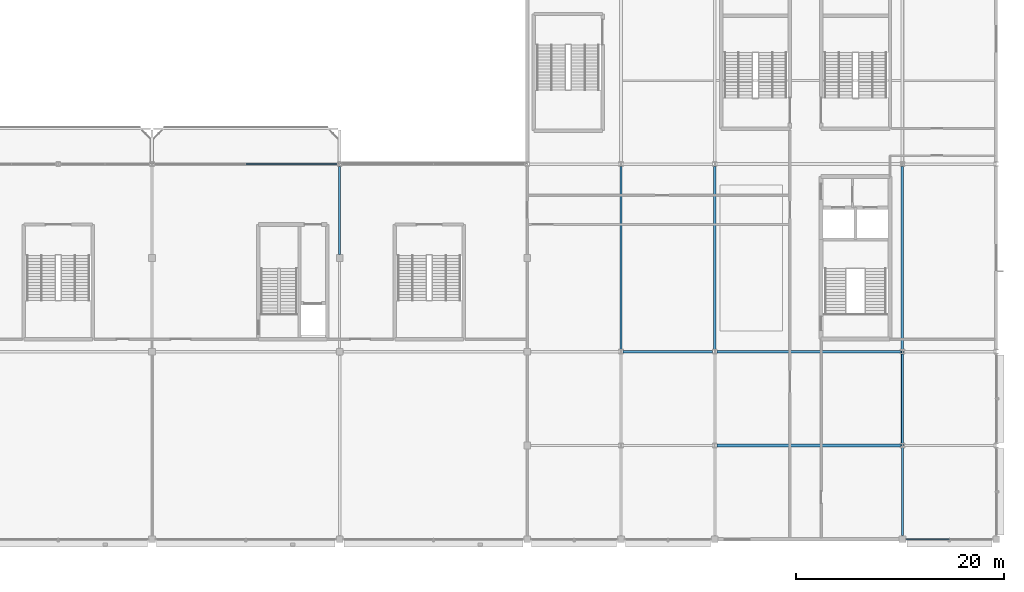
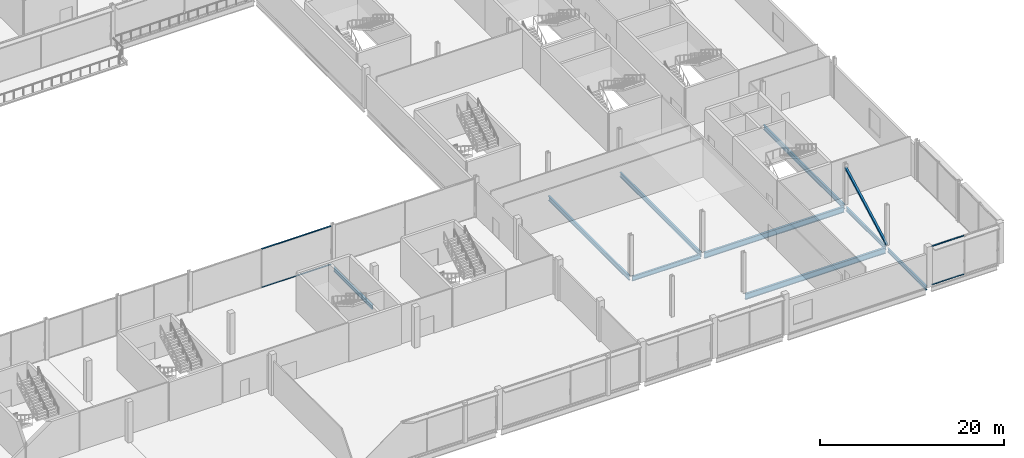
# One storey, part 49 of 113: 9 beams, 5 members, 2 elements without a shape of their own.
"""IFC4 building model written with IfcOpenShell, lengths in metres."""

from ifc_helpers import new_model, si_unit, direction, frame, origin, origin_2d, place, context, subcontext, project, spatial, rectangle, hollow_rectangle, i_section, extrude, material, layer, layer_set, material_profile, profile_set, type_object, element, aggregate, save


model = new_model("IFC4")

# Units and contexts
model_context = context("Model", 3, precision=1e-05, world=origin(), true_north=direction((0.0, 1.0)))
body_context = subcontext(model_context, "Body", "Model", "MODEL_VIEW")
ifc_project = project(units=[si_unit("LENGTHUNIT", "METRE"), si_unit("AREAUNIT", "SQUARE_METRE"), si_unit("VOLUMEUNIT", "CUBIC_METRE"), si_unit("PLANEANGLEUNIT", "RADIAN"), si_unit("MASSUNIT", "GRAM", prefix="KILO")], contexts=[model_context])

# Site, building, storey
site_placement = place(None, origin())
site = spatial("IfcSite", under=ifc_project, at=site_placement, CompositionType="ELEMENT")
building_placement = place(site_placement, origin())
building = spatial("IfcBuilding", under=site, at=building_placement, Name="Kisiwana Market Hall", CompositionType="ELEMENT")
storey_placement = place(building_placement, frame((0.0, 0.0, 6.0)))
storey = spatial("IfcBuildingStorey", under=building, at=storey_placement, Name="L01", CompositionType="ELEMENT", Elevation=6.0)

# Beams
ifc_material_1 = material(Name="Steel S355", Category="steel")
ifc_material_profile_1 = material_profile(ifc_material_1, i_section(OverallWidth=0.209228515625, OverallDepth=0.533203125, WebThickness=0.010009765625, FlangeThickness=0.015625, at=origin_2d()), Name="UB 533x210x92")
ifc_profile_set_1 = profile_set([ifc_material_profile_1], Name="Steel S355")
beam_type_1 = type_object("IfcBeamType", Name="BM-GIRD-UB533", PredefinedType="BEAM", material=ifc_profile_set_1)
beam_1_placement = place(storey_placement, frame((135.0, 27.345947265625, -0.5166015625), z_axis=(0.0, 1.0, 0.0), x_axis=(-1.0, 0.0, 0.0)))
element("IfcBeam", 1, at=beam_1_placement, inside=storey, type_object=beam_type_1, Name="Primary girder B-0387", PredefinedType="BEAM", context=body_context, shape_type="SweptSolid", body=[
    extrude(i_section(OverallWidth=0.209228515625, OverallDepth=0.533203125, WebThickness=0.010009765625, FlangeThickness=0.015625, at=origin_2d()), origin(), (0.0, 0.0, 1.0), 8.440673828125),
])
beam_2_placement = place(storey_placement, frame((189.0, 0.345947265625, -0.5166015625), z_axis=(0.0, 1.0, 0.0), x_axis=(-1.0, 0.0, 0.0)))
element("IfcBeam", 2, at=beam_2_placement, inside=storey, type_object=beam_type_1, Name="Primary girder B-0413", PredefinedType="BEAM", context=body_context, shape_type="SweptSolid", body=[
    extrude(i_section(OverallWidth=0.209228515625, OverallDepth=0.533203125, WebThickness=0.010009765625, FlangeThickness=0.015625, at=origin_2d()), origin(), (0.0, 0.0, 1.0), 8.454833984375),
])
beam_3_placement = place(storey_placement, frame((189.0, 9.19921875, -0.5166015625), z_axis=(0.0, 1.0, 0.0), x_axis=(-1.0, 0.0, 0.0)))
element("IfcBeam", 3, at=beam_3_placement, inside=storey, type_object=beam_type_1, Name="Primary girder B-0414", PredefinedType="BEAM", context=body_context, shape_type="SweptSolid", body=[
    extrude(i_section(OverallWidth=0.209228515625, OverallDepth=0.533203125, WebThickness=0.010009765625, FlangeThickness=0.015625, at=origin_2d()), origin(), (0.0, 0.0, 1.0), 8.58740234375),
])
ifc_material_2 = material(Name="Steel S355", Category="steel")
ifc_material_profile_2 = material_profile(ifc_material_2, i_section(OverallWidth=0.22900390625, OverallDepth=0.6123046875, WebThickness=0.011962890625, FlangeThickness=0.01953125, at=origin_2d()), Name="UB 610x229x125")
ifc_profile_set_2 = profile_set([ifc_material_profile_2], Name="Steel S355")
beam_type_2 = type_object("IfcBeamType", Name="BM-GIRD-UB610H", PredefinedType="BEAM", material=ifc_profile_set_2)
beam_4_placement = place(storey_placement, frame((162.201904296875, 18.0, -0.55615234375), z_axis=(1.0, 0.0, 0.0), x_axis=(0.0, 1.0, 0.0)))
element("IfcBeam", 4, at=beam_4_placement, inside=storey, type_object=beam_type_2, Name="Floor beam B-0482", PredefinedType="BEAM", context=body_context, shape_type="SweptSolid", body=[
    extrude(i_section(OverallWidth=0.22900390625, OverallDepth=0.6123046875, WebThickness=0.011962890625, FlangeThickness=0.01953125, at=origin_2d()), origin(), (0.0, 0.0, 1.0), 8.59619140625),
])
for number, where, z_axis, x_axis, name in (
    (5, (162.0, 18.21337890625, -0.55615234375), (0.0, 1.0, 0.0), (-1.0, 0.0, 0.0), "Primary girder B-0401"),
    (6, (171.0, 18.21337890625, -0.55615234375), (0.0, 1.0, 0.0), (-1.0, 0.0, 0.0), "Primary girder B-0409"),
    (7, (189.0, 18.21337890625, -0.55615234375), (0.0, 1.0, 0.0), (-1.0, 0.0, 0.0), "Primary girder B-0415"),
):
    element("IfcBeam", number, at=place(storey_placement, frame(where, z_axis=z_axis, x_axis=x_axis)), inside=storey, type_object=beam_type_2, Name=name, PredefinedType="BEAM", context=body_context, shape_type="SweptSolid", body=[
        extrude(i_section(OverallWidth=0.22900390625, OverallDepth=0.6123046875, WebThickness=0.011962890625, FlangeThickness=0.01953125, at=origin_2d()), origin(), (0.0, 0.0, 1.0), 17.5732421875),
    ])
ifc_material_3 = material(Name="Steel S355", Category="steel")
ifc_material_profile_3 = material_profile(ifc_material_3, i_section(OverallWidth=0.2666015625, OverallDepth=0.76220703125, WebThickness=0.014404296875, FlangeThickness=0.021484375, at=origin_2d()), Name="UB 762x267x173")
ifc_profile_set_3 = profile_set([ifc_material_profile_3], Name="Steel S355")
beam_type_3 = type_object("IfcBeamType", Name="BM-GIRD-UB762", PredefinedType="BEAM", material=ifc_profile_set_3)
beam_5_placement = place(storey_placement, frame((171.197509765625, 9.0, -0.631103515625), z_axis=(1.0, 0.0, 0.0), x_axis=(0.0, 1.0, 0.0)))
element("IfcBeam", 8, at=beam_5_placement, inside=storey, type_object=beam_type_3, Name="Floor beam B-0469", PredefinedType="BEAM", context=body_context, shape_type="SweptSolid", body=[
    extrude(i_section(OverallWidth=0.2666015625, OverallDepth=0.76220703125, WebThickness=0.014404296875, FlangeThickness=0.021484375, at=origin_2d()), origin(), (0.0, 0.0, 1.0), 17.60498046875),
])
beam_6_placement = place(storey_placement, frame((171.201904296875, 18.0, -0.631103515625), z_axis=(1.0, 0.0, 0.0), x_axis=(0.0, 1.0, 0.0)))
element("IfcBeam", 9, at=beam_6_placement, inside=storey, type_object=beam_type_3, Name="Floor beam B-0483", PredefinedType="BEAM", context=body_context, shape_type="SweptSolid", body=[
    extrude(i_section(OverallWidth=0.2666015625, OverallDepth=0.76220703125, WebThickness=0.014404296875, FlangeThickness=0.021484375, at=origin_2d()), origin(), (0.0, 0.0, 1.0), 17.59619140625),
])

# Curtain wall, members
ifc_material_4 = material(Name="Double-glazed solar-control low-E IGU", Category="glass")
ifc_layer_1 = layer(ifc_material_4, 0.159912109375)
ifc_layer_set_1 = layer_set([ifc_layer_1], Name="CW-FC-S-7600")
curtain_wall_type_1 = type_object("IfcCurtainWallType", Name="CW-FC-S-7600", PredefinedType="USERDEFINED", material=ifc_layer_set_1)
curtain_wall_1_placement = place(storey_placement, origin())
curtain_wall_1 = element("IfcCurtainWall", 10, at=curtain_wall_1_placement, inside=storey, type_object=curtain_wall_type_1, Name="Unitised curtain wall CW-016 (L01)", ObjectType="UNITISED CURTAIN WALL", PredefinedType="USERDEFINED")
ifc_material_5 = material(Name="Aluminium alloy 6063-T6", Category="aluminium")
ifc_material_profile_4 = material_profile(ifc_material_5, rectangle(XDim=0.1201171875, YDim=0.06005859375, at=origin_2d()), Name="ALU TRANSOM 60x120")
ifc_profile_set_4 = profile_set([ifc_material_profile_4], Name="Aluminium alloy 6063-T6")
member_type_1 = type_object("IfcMemberType", Name="CW-TRAN-60x120", PredefinedType="USERDEFINED", material=ifc_profile_set_4)
member_1_placement = place(storey_placement, frame((189.385009765625, 0.0, 0.030029296875), z_axis=(1.0, 0.0, 0.0), x_axis=(0.0, 1.0, 0.0)))
member_1 = element("IfcMember", 11, at=member_1_placement, type_object=member_type_1, Name="CW-016 transom 1.1", ObjectType="TRANSOM", PredefinedType="USERDEFINED", context=body_context, shape_type="SweptSolid", body=[
    extrude(rectangle(XDim=0.1201171875, YDim=0.06005859375, at=origin_2d()), origin(), (0.0, 0.0, 1.0), 4.0849609375),
])
member_2_placement = place(storey_placement, frame((189.385009765625, 0.0, 5.1201171875), z_axis=(1.0, 0.0, 0.0), x_axis=(0.0, 1.0, 0.0)))
member_2 = element("IfcMember", 12, at=member_2_placement, type_object=member_type_1, Name="CW-016 transom 1.2", ObjectType="TRANSOM", PredefinedType="USERDEFINED", context=body_context, shape_type="SweptSolid", body=[
    extrude(rectangle(XDim=0.1201171875, YDim=0.06005859375, at=origin_2d()), origin(), (0.0, 0.0, 1.0), 4.0849609375),
])
aggregate(curtain_wall_1, [member_1, member_2])

ifc_material_6 = material(Name="Double-glazed solar-control low-E IGU", Category="glass")
ifc_layer_2 = layer(ifc_material_6, 0.159912109375)
ifc_layer_set_2 = layer_set([ifc_layer_2], Name="CW-FC-N-8100")
curtain_wall_type_2 = type_object("IfcCurtainWallType", Name="CW-FC-N-8100", PredefinedType="USERDEFINED", material=ifc_layer_set_2)
curtain_wall_2_placement = place(storey_placement, origin())
curtain_wall_2 = element("IfcCurtainWall", 13, at=curtain_wall_2_placement, inside=storey, type_object=curtain_wall_type_2, Name="Unitised curtain wall CW-023 (L01)", ObjectType="UNITISED CURTAIN WALL", PredefinedType="USERDEFINED")
member_3_placement = place(storey_placement, frame((126.030029296875, 36.0, 0.030029296875), z_axis=(1.0, 0.0, 0.0), x_axis=(0.0, 1.0, 0.0)))
member_3 = element("IfcMember", 14, at=member_3_placement, type_object=member_type_1, Name="CW-023 transom 2.1", ObjectType="TRANSOM", PredefinedType="USERDEFINED", context=body_context, shape_type="SweptSolid", body=[
    extrude(rectangle(XDim=0.1201171875, YDim=0.06005859375, at=origin_2d()), origin(), (0.0, 0.0, 1.0), 8.703857421875),
])
member_4_placement = place(storey_placement, frame((126.030029296875, 36.0, 5.1201171875), z_axis=(1.0, 0.0, 0.0), x_axis=(0.0, 1.0, 0.0)))
member_4 = element("IfcMember", 15, at=member_4_placement, type_object=member_type_1, Name="CW-023 transom 2.2", ObjectType="TRANSOM", PredefinedType="USERDEFINED", context=body_context, shape_type="SweptSolid", body=[
    extrude(rectangle(XDim=0.1201171875, YDim=0.06005859375, at=origin_2d()), origin(), (0.0, 0.0, 1.0), 8.703857421875),
])
aggregate(curtain_wall_2, [member_3, member_4])

# Member
ifc_material_7 = material(Name="Steel S355", Category="steel")
ifc_material_profile_5 = material_profile(ifc_material_7, hollow_rectangle(XDim=0.25, YDim=0.25, WallThickness=0.012451171875, at=origin_2d()), Name="SHS 250x250x12.5")
ifc_profile_set_5 = profile_set([ifc_material_profile_5], Name="Steel S355")
member_type_2 = type_object("IfcMemberType", Name="MB-CBF-SHS250", PredefinedType="BRACE", material=ifc_profile_set_5)
member_5_placement = place(storey_placement, frame((189.0, 9.0, 0.0), z_axis=(0.0, 0.880310023869, 0.474398842616), x_axis=(-1.0, 0.0, 0.0)))
element("IfcMember", 16, at=member_5_placement, inside=storey, type_object=member_type_2, Name="CBF-E-N diagonal brace (L01) M-0016", PredefinedType="BRACE", context=body_context, shape_type="SweptSolid", body=[
    extrude(hollow_rectangle(XDim=0.25, YDim=0.25, WallThickness=0.012451171875, at=origin_2d()), origin(), (0.0, 0.0, 1.0), 10.2236328125),
])

save(model, "model.ifc")
